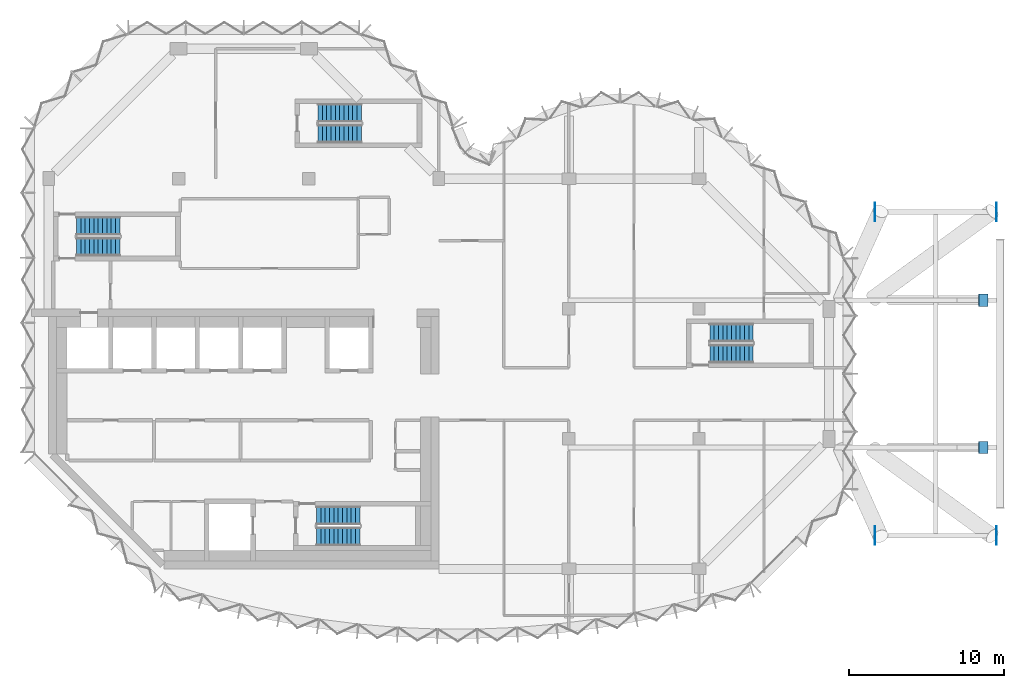
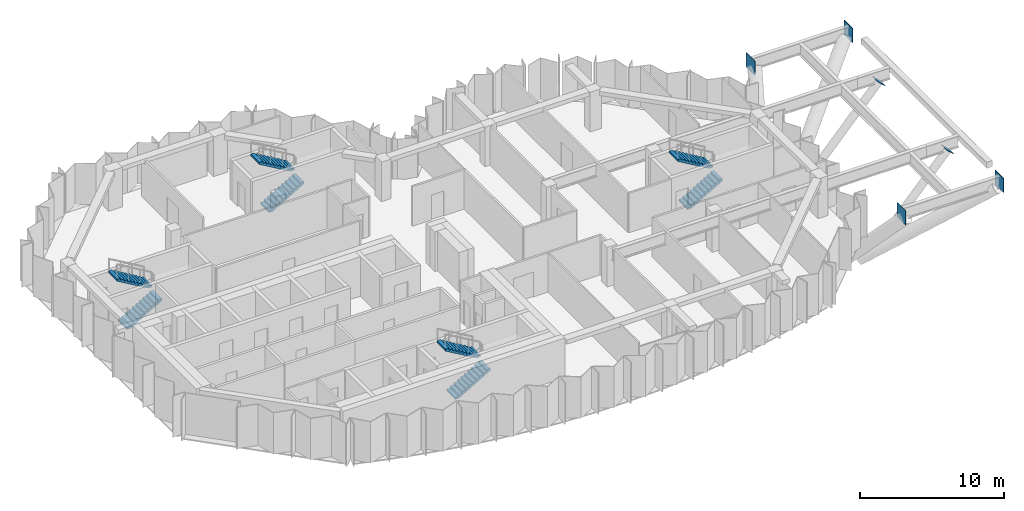
# One storey, part 9 of 11: 8 stair flights, 6 discrete accessories, 4 elements without a shape of their own.
"""IFC4 building model written with IfcOpenShell, lengths in metres."""

from ifc_helpers import new_model, si_unit, direction, frame, origin, origin_2d, place, context, subcontext, project, spatial, polyline, rectangle, outline, extrude, material, layer, layer_set, type_object, element, aggregate, save


model = new_model("IFC4")

# Units and contexts
model_context = context("Model", 3, precision=1e-05, world=origin(), true_north=direction((0.0, 1.0)))
body_context = subcontext(model_context, "Body", "Model", "MODEL_VIEW")
ifc_project = project(units=[si_unit("LENGTHUNIT", "METRE"), si_unit("AREAUNIT", "SQUARE_METRE"), si_unit("VOLUMEUNIT", "CUBIC_METRE"), si_unit("PLANEANGLEUNIT", "RADIAN"), si_unit("MASSUNIT", "GRAM", prefix="KILO")], contexts=[model_context])

# Site, building, storey
site_placement = place(None, origin())
site = spatial("IfcSite", under=ifc_project, at=site_placement, CompositionType="ELEMENT")
building_placement = place(site_placement, origin())
building = spatial("IfcBuilding", under=site, at=building_placement, Name="Brevane Broadcast Tower", CompositionType="ELEMENT")
storey_placement = place(building_placement, frame((0.0, 0.0, 219.300048828125)))
storey = spatial("IfcBuildingStorey", under=building, at=storey_placement, Name="L55", CompositionType="ELEMENT", Elevation=219.300048828125)

# Stair, stair flights
ifc_material_1 = material(Name="Concrete C50/60", Category="concrete")
stair_type = type_object("IfcStairType", Name="Exit stair 22 risers", PredefinedType="HALF_TURN_STAIR", material=ifc_material_1)
stair_1_placement = place(storey_placement, origin())
stair_1 = element("IfcStair", 1, at=stair_1_placement, inside=storey, type_object=stair_type, Name="L55 Exit stair ST-1", PredefinedType="HALF_TURN_STAIR")
stair_flight_type = type_object("IfcStairFlightType", Name="Exit stair flight 22 risers", PredefinedType="STRAIGHT", material=ifc_material_1)
stair_flight_1_placement = place(storey_placement, frame((1.800048828125, 20.800048828125, 0.0), z_axis=(0.0, 0.0, 1.0), x_axis=(1.0, 0.0, 0.0)))
stair_flight_1 = element("IfcStairFlight", 2, at=stair_flight_1_placement, type_object=stair_flight_type, Name="ST-1 flight 1", NumberOfRisers=11, NumberOfTreads=10, PredefinedType="STRAIGHT", RiserHeight=0.163636364, TreadLength=0.28, context=body_context, shape_type="SweptSolid", body=[
    extrude(outline(polyline([(0.0, 0.0), (0.0, 0.16357421875), (0.280029296875, 0.16357421875), (0.280029296875, 0.327392578125), (0.56005859375, 0.327392578125), (0.56005859375, 0.490966796875), (0.840087890625, 0.490966796875), (0.840087890625, 0.654541015625), (1.1201171875, 0.654541015625), (1.1201171875, 0.818115234375), (1.39990234375, 0.818115234375), (1.39990234375, 0.98193359375), (1.679931640625, 0.98193359375), (1.679931640625, 1.1455078125), (1.9599609375, 1.1455078125), (1.9599609375, 1.30908203125), (2.239990234375, 1.30908203125), (2.239990234375, 1.47265625), (2.52001953125, 1.47265625), (2.52001953125, 1.636474609375), (2.800048828125, 1.636474609375), (2.800048828125, 1.800048828125), (2.800048828125, 1.462646484375), (0.297119140625, 0.0), (0.0, 0.0)])), frame((0.0, 0.60009765625, 0.0), z_axis=(0.0, -1.0, 0.0), x_axis=(1.0, 0.0, 0.0)), (0.0, 0.0, 1.0), 1.199951171875),
])
stair_flight_2_placement = place(storey_placement, frame((4.60009765625, 22.14990234375, 1.800048828125), z_axis=(0.0, 0.0, 1.0), x_axis=(-1.0, 0.0, 0.0)))
stair_flight_2 = element("IfcStairFlight", 3, at=stair_flight_2_placement, type_object=stair_flight_type, Name="ST-1 flight 2", NumberOfRisers=11, NumberOfTreads=10, PredefinedType="STRAIGHT", RiserHeight=0.163636364, TreadLength=0.28, context=body_context, shape_type="SweptSolid", body=[
    extrude(outline(polyline([(0.0, 0.0), (0.0, 0.16357421875), (0.280029296875, 0.16357421875), (0.280029296875, 0.327392578125), (0.56005859375, 0.327392578125), (0.56005859375, 0.490966796875), (0.840087890625, 0.490966796875), (0.840087890625, 0.654541015625), (1.1201171875, 0.654541015625), (1.1201171875, 0.818115234375), (1.39990234375, 0.818115234375), (1.39990234375, 0.98193359375), (1.679931640625, 0.98193359375), (1.679931640625, 1.1455078125), (1.9599609375, 1.1455078125), (1.9599609375, 1.30908203125), (2.239990234375, 1.30908203125), (2.239990234375, 1.47265625), (2.52001953125, 1.47265625), (2.52001953125, 1.636474609375), (2.800048828125, 1.636474609375), (2.800048828125, 1.800048828125), (2.800048828125, 1.462646484375), (0.297119140625, 0.0), (0.0, 0.0)])), frame((0.0, 0.60009765625, 0.0), z_axis=(0.0, -1.0, 0.0), x_axis=(1.0, 0.0, 0.0)), (0.0, 0.0, 1.0), 1.199951171875),
])
aggregate(stair_1, [stair_flight_1, stair_flight_2])

stair_2_placement = place(storey_placement, origin())
stair_2 = element("IfcStair", 4, at=stair_2_placement, inside=storey, type_object=stair_type, Name="L55 Exit stair ST-2", PredefinedType="HALF_TURN_STAIR")
stair_flight_3_placement = place(storey_placement, frame((17.300048828125, 2.10009765625, 0.0), z_axis=(0.0, 0.0, 1.0), x_axis=(1.0, 0.0, 0.0)))
stair_flight_3 = element("IfcStairFlight", 5, at=stair_flight_3_placement, type_object=stair_flight_type, Name="ST-2 flight 1", NumberOfRisers=11, NumberOfTreads=10, PredefinedType="STRAIGHT", RiserHeight=0.163636364, TreadLength=0.28, context=body_context, shape_type="SweptSolid", body=[
    extrude(outline(polyline([(0.0, 0.0), (0.0, 0.16357421875), (0.280029296875, 0.16357421875), (0.280029296875, 0.327392578125), (0.56005859375, 0.327392578125), (0.56005859375, 0.490966796875), (0.840087890625, 0.490966796875), (0.840087890625, 0.654541015625), (1.1201171875, 0.654541015625), (1.1201171875, 0.818115234375), (1.39990234375, 0.818115234375), (1.39990234375, 0.98193359375), (1.679931640625, 0.98193359375), (1.679931640625, 1.1455078125), (1.9599609375, 1.1455078125), (1.9599609375, 1.30908203125), (2.239990234375, 1.30908203125), (2.239990234375, 1.47265625), (2.52001953125, 1.47265625), (2.52001953125, 1.636474609375), (2.800048828125, 1.636474609375), (2.800048828125, 1.800048828125), (2.800048828125, 1.462646484375), (0.297119140625, 0.0), (0.0, 0.0)])), frame((0.0, 0.60009765625, 0.0), z_axis=(0.0, -1.0, 0.0), x_axis=(1.0, 0.0, 0.0)), (0.0, 0.0, 1.0), 1.199951171875),
])
stair_flight_4_placement = place(storey_placement, frame((20.10009765625, 3.449951171875, 1.800048828125), z_axis=(0.0, 0.0, 1.0), x_axis=(-1.0, 0.0, 0.0)))
stair_flight_4 = element("IfcStairFlight", 6, at=stair_flight_4_placement, type_object=stair_flight_type, Name="ST-2 flight 2", NumberOfRisers=11, NumberOfTreads=10, PredefinedType="STRAIGHT", RiserHeight=0.163636364, TreadLength=0.28, context=body_context, shape_type="SweptSolid", body=[
    extrude(outline(polyline([(0.0, 0.0), (0.0, 0.16357421875), (0.280029296875, 0.16357421875), (0.280029296875, 0.327392578125), (0.56005859375, 0.327392578125), (0.56005859375, 0.490966796875), (0.840087890625, 0.490966796875), (0.840087890625, 0.654541015625), (1.1201171875, 0.654541015625), (1.1201171875, 0.818115234375), (1.39990234375, 0.818115234375), (1.39990234375, 0.98193359375), (1.679931640625, 0.98193359375), (1.679931640625, 1.1455078125), (1.9599609375, 1.1455078125), (1.9599609375, 1.30908203125), (2.239990234375, 1.30908203125), (2.239990234375, 1.47265625), (2.52001953125, 1.47265625), (2.52001953125, 1.636474609375), (2.800048828125, 1.636474609375), (2.800048828125, 1.800048828125), (2.800048828125, 1.462646484375), (0.297119140625, 0.0), (0.0, 0.0)])), frame((0.0, 0.60009765625, 0.0), z_axis=(0.0, -1.0, 0.0), x_axis=(1.0, 0.0, 0.0)), (0.0, 0.0, 1.0), 1.199951171875),
])
aggregate(stair_2, [stair_flight_3, stair_flight_4])

stair_3_placement = place(storey_placement, origin())
stair_3 = element("IfcStair", 7, at=stair_3_placement, inside=storey, type_object=stair_type, Name="L55 Exit stair ST-3", PredefinedType="HALF_TURN_STAIR")
stair_flight_5_placement = place(storey_placement, frame((17.39990234375, 28.10009765625, 0.0), z_axis=(0.0, 0.0, 1.0), x_axis=(1.0, 0.0, 0.0)))
stair_flight_5 = element("IfcStairFlight", 8, at=stair_flight_5_placement, type_object=stair_flight_type, Name="ST-3 flight 1", NumberOfRisers=11, NumberOfTreads=10, PredefinedType="STRAIGHT", RiserHeight=0.163636364, TreadLength=0.28, context=body_context, shape_type="SweptSolid", body=[
    extrude(outline(polyline([(0.0, 0.0), (0.0, 0.16357421875), (0.280029296875, 0.16357421875), (0.280029296875, 0.327392578125), (0.56005859375, 0.327392578125), (0.56005859375, 0.490966796875), (0.840087890625, 0.490966796875), (0.840087890625, 0.654541015625), (1.1201171875, 0.654541015625), (1.1201171875, 0.818115234375), (1.39990234375, 0.818115234375), (1.39990234375, 0.98193359375), (1.679931640625, 0.98193359375), (1.679931640625, 1.1455078125), (1.9599609375, 1.1455078125), (1.9599609375, 1.30908203125), (2.239990234375, 1.30908203125), (2.239990234375, 1.47265625), (2.52001953125, 1.47265625), (2.52001953125, 1.636474609375), (2.800048828125, 1.636474609375), (2.800048828125, 1.800048828125), (2.800048828125, 1.462646484375), (0.297119140625, 0.0), (0.0, 0.0)])), frame((0.0, 0.60009765625, 0.0), z_axis=(0.0, -1.0, 0.0), x_axis=(1.0, 0.0, 0.0)), (0.0, 0.0, 1.0), 1.199951171875),
])
stair_flight_6_placement = place(storey_placement, frame((20.199951171875, 29.449951171875, 1.800048828125), z_axis=(0.0, 0.0, 1.0), x_axis=(-1.0, 0.0, 0.0)))
stair_flight_6 = element("IfcStairFlight", 9, at=stair_flight_6_placement, type_object=stair_flight_type, Name="ST-3 flight 2", NumberOfRisers=11, NumberOfTreads=10, PredefinedType="STRAIGHT", RiserHeight=0.163636364, TreadLength=0.28, context=body_context, shape_type="SweptSolid", body=[
    extrude(outline(polyline([(0.0, 0.0), (0.0, 0.16357421875), (0.280029296875, 0.16357421875), (0.280029296875, 0.327392578125), (0.56005859375, 0.327392578125), (0.56005859375, 0.490966796875), (0.840087890625, 0.490966796875), (0.840087890625, 0.654541015625), (1.1201171875, 0.654541015625), (1.1201171875, 0.818115234375), (1.39990234375, 0.818115234375), (1.39990234375, 0.98193359375), (1.679931640625, 0.98193359375), (1.679931640625, 1.1455078125), (1.9599609375, 1.1455078125), (1.9599609375, 1.30908203125), (2.239990234375, 1.30908203125), (2.239990234375, 1.47265625), (2.52001953125, 1.47265625), (2.52001953125, 1.636474609375), (2.800048828125, 1.636474609375), (2.800048828125, 1.800048828125), (2.800048828125, 1.462646484375), (0.297119140625, 0.0), (0.0, 0.0)])), frame((0.0, 0.60009765625, 0.0), z_axis=(0.0, -1.0, 0.0), x_axis=(1.0, 0.0, 0.0)), (0.0, 0.0, 1.0), 1.199951171875),
])
aggregate(stair_3, [stair_flight_5, stair_flight_6])

stair_4_placement = place(storey_placement, origin())
stair_4 = element("IfcStair", 10, at=stair_4_placement, inside=storey, type_object=stair_type, Name="L55 Exit stair ST-4", PredefinedType="HALF_TURN_STAIR")
stair_flight_7_placement = place(storey_placement, frame((42.699951171875, 13.89990234375, 0.0), z_axis=(0.0, 0.0, 1.0), x_axis=(1.0, 0.0, 0.0)))
stair_flight_7 = element("IfcStairFlight", 11, at=stair_flight_7_placement, type_object=stair_flight_type, Name="ST-4 flight 1", NumberOfRisers=11, NumberOfTreads=10, PredefinedType="STRAIGHT", RiserHeight=0.163636364, TreadLength=0.28, context=body_context, shape_type="SweptSolid", body=[
    extrude(outline(polyline([(0.0, 0.0), (0.0, 0.16357421875), (0.280029296875, 0.16357421875), (0.280029296875, 0.327392578125), (0.56005859375, 0.327392578125), (0.56005859375, 0.490966796875), (0.840087890625, 0.490966796875), (0.840087890625, 0.654541015625), (1.1201171875, 0.654541015625), (1.1201171875, 0.818115234375), (1.39990234375, 0.818115234375), (1.39990234375, 0.98193359375), (1.679931640625, 0.98193359375), (1.679931640625, 1.1455078125), (1.9599609375, 1.1455078125), (1.9599609375, 1.30908203125), (2.239990234375, 1.30908203125), (2.239990234375, 1.47265625), (2.52001953125, 1.47265625), (2.52001953125, 1.636474609375), (2.800048828125, 1.636474609375), (2.800048828125, 1.800048828125), (2.800048828125, 1.462646484375), (0.297119140625, 0.0), (0.0, 0.0)])), frame((0.0, 0.60009765625, 0.0), z_axis=(0.0, -1.0, 0.0), x_axis=(1.0, 0.0, 0.0)), (0.0, 0.0, 1.0), 1.199951171875),
])
stair_flight_8_placement = place(storey_placement, frame((45.5, 15.25, 1.800048828125), z_axis=(0.0, 0.0, 1.0), x_axis=(-1.0, 0.0, 0.0)))
stair_flight_8 = element("IfcStairFlight", 12, at=stair_flight_8_placement, type_object=stair_flight_type, Name="ST-4 flight 2", NumberOfRisers=11, NumberOfTreads=10, PredefinedType="STRAIGHT", RiserHeight=0.163636364, TreadLength=0.28, context=body_context, shape_type="SweptSolid", body=[
    extrude(outline(polyline([(0.0, 0.0), (0.0, 0.16357421875), (0.280029296875, 0.16357421875), (0.280029296875, 0.327392578125), (0.56005859375, 0.327392578125), (0.56005859375, 0.490966796875), (0.840087890625, 0.490966796875), (0.840087890625, 0.654541015625), (1.1201171875, 0.654541015625), (1.1201171875, 0.818115234375), (1.39990234375, 0.818115234375), (1.39990234375, 0.98193359375), (1.679931640625, 0.98193359375), (1.679931640625, 1.1455078125), (1.9599609375, 1.1455078125), (1.9599609375, 1.30908203125), (2.239990234375, 1.30908203125), (2.239990234375, 1.47265625), (2.52001953125, 1.47265625), (2.52001953125, 1.636474609375), (2.800048828125, 1.636474609375), (2.800048828125, 1.800048828125), (2.800048828125, 1.462646484375), (0.297119140625, 0.0), (0.0, 0.0)])), frame((0.0, 0.60009765625, 0.0), z_axis=(0.0, -1.0, 0.0), x_axis=(1.0, 0.0, 0.0)), (0.0, 0.0, 1.0), 1.199951171875),
])
aggregate(stair_4, [stair_flight_7, stair_flight_8])

# Discrete accessories
ifc_material_2 = material(Name="Steel S355", Category="steel")
ifc_layer_1 = layer(ifc_material_2, 0.0400390625)
ifc_layer_set_1 = layer_set([ifc_layer_1], Name="Gusset plate 1200x1200x40 S355")
discrete_accessory_type_1 = type_object("IfcDiscreteAccessoryType", Name="Gusset plate 1200x1200x40 S355", PredefinedType="ANCHORPLATE", material=ifc_layer_set_1)
discrete_accessory_1_placement = place(storey_placement, frame((53.360107421875, 2.14990234375, 2.696044921875), z_axis=(1.0, 0.0, 0.0), x_axis=(0.0, 1.0, 0.0)))
element("IfcDiscreteAccessory", 13, at=discrete_accessory_1_placement, inside=storey, type_object=discrete_accessory_type_1, Name="Gusset plate GP4-64", PredefinedType="ANCHORPLATE", context=body_context, shape_type="SweptSolid", body=[
    extrude(rectangle(XDim=1.199951171875, YDim=1.199951171875, at=origin_2d()), origin(), (0.0, 0.0, 1.0), 0.039794921875),
])
discrete_accessory_2_placement = place(storey_placement, frame((61.199951171875, 2.14990234375, 2.696044921875), z_axis=(1.0, 0.0, 0.0), x_axis=(0.0, 1.0, 0.0)))
element("IfcDiscreteAccessory", 14, at=discrete_accessory_2_placement, inside=storey, type_object=discrete_accessory_type_1, Name="Gusset plate GP4-65", PredefinedType="ANCHORPLATE", context=body_context, shape_type="SweptSolid", body=[
    extrude(rectangle(XDim=1.199951171875, YDim=1.199951171875, at=origin_2d()), origin(), (0.0, 0.0, 1.0), 0.0400390625),
])
discrete_accessory_3_placement = place(storey_placement, frame((53.360107421875, 23.050048828125, 2.696044921875), z_axis=(1.0, 0.0, 0.0), x_axis=(0.0, 1.0, 0.0)))
element("IfcDiscreteAccessory", 15, at=discrete_accessory_3_placement, inside=storey, type_object=discrete_accessory_type_1, Name="Gusset plate GP4-66", PredefinedType="ANCHORPLATE", context=body_context, shape_type="SweptSolid", body=[
    extrude(rectangle(XDim=1.199951171875, YDim=1.199951171875, at=origin_2d()), origin(), (0.0, 0.0, 1.0), 0.039794921875),
])
discrete_accessory_4_placement = place(storey_placement, frame((61.199951171875, 23.050048828125, 2.696044921875), z_axis=(1.0, 0.0, 0.0), x_axis=(0.0, 1.0, 0.0)))
element("IfcDiscreteAccessory", 16, at=discrete_accessory_4_placement, inside=storey, type_object=discrete_accessory_type_1, Name="Gusset plate GP4-67", PredefinedType="ANCHORPLATE", context=body_context, shape_type="SweptSolid", body=[
    extrude(rectangle(XDim=1.199951171875, YDim=1.199951171875, at=origin_2d()), origin(), (0.0, 0.0, 1.0), 0.0400390625),
])
ifc_layer_2 = layer(ifc_material_2, 0.0400390625)
ifc_layer_set_2 = layer_set([ifc_layer_2], Name="Gusset plate 800x800x40 S355")
discrete_accessory_type_2 = type_object("IfcDiscreteAccessoryType", Name="Gusset plate 800x800x40 S355", PredefinedType="ANCHORPLATE", material=ifc_layer_set_2)
for number, where, z_axis, x_axis, name in (
    (17, (60.34033203125, 7.840087890625, 2.236328125), (0.672672793996, 0.0, 0.739940073396), (0.0, 1.0, 0.0), "Gusset plate GP5-69"),
    (18, (60.34033203125, 17.360107421875, 2.236328125), (0.672672793996, 0.0, 0.739940073396), (0.0, 1.0, 0.0), "Gusset plate GP5-71"),
):
    element("IfcDiscreteAccessory", number, at=place(storey_placement, frame(where, z_axis=z_axis, x_axis=x_axis)), inside=storey, type_object=discrete_accessory_type_2, Name=name, PredefinedType="ANCHORPLATE", context=body_context, shape_type="SweptSolid", body=[
        extrude(rectangle(XDim=0.800048828125, YDim=0.800048828125, at=origin_2d()), origin(), (0.0, 0.0, 1.0), 0.0400390625),
    ])

save(model, "model.ifc")
